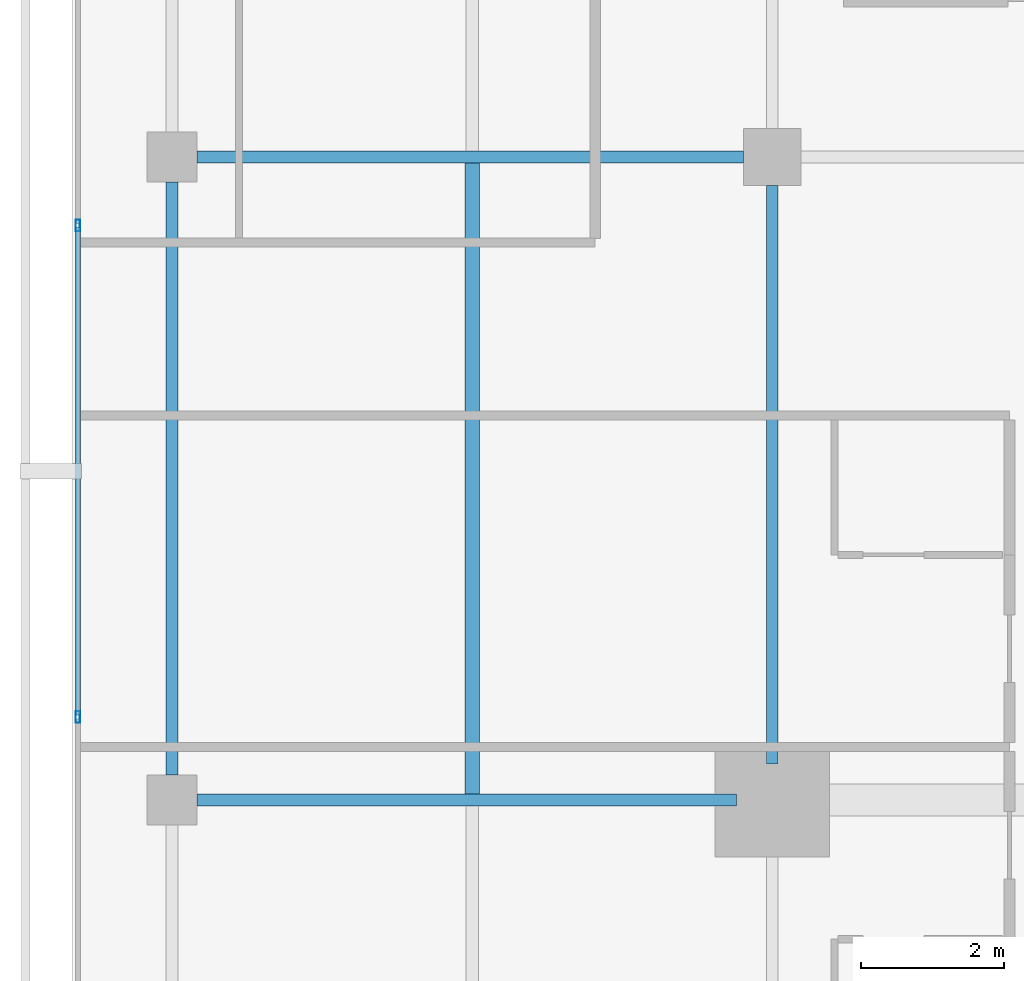
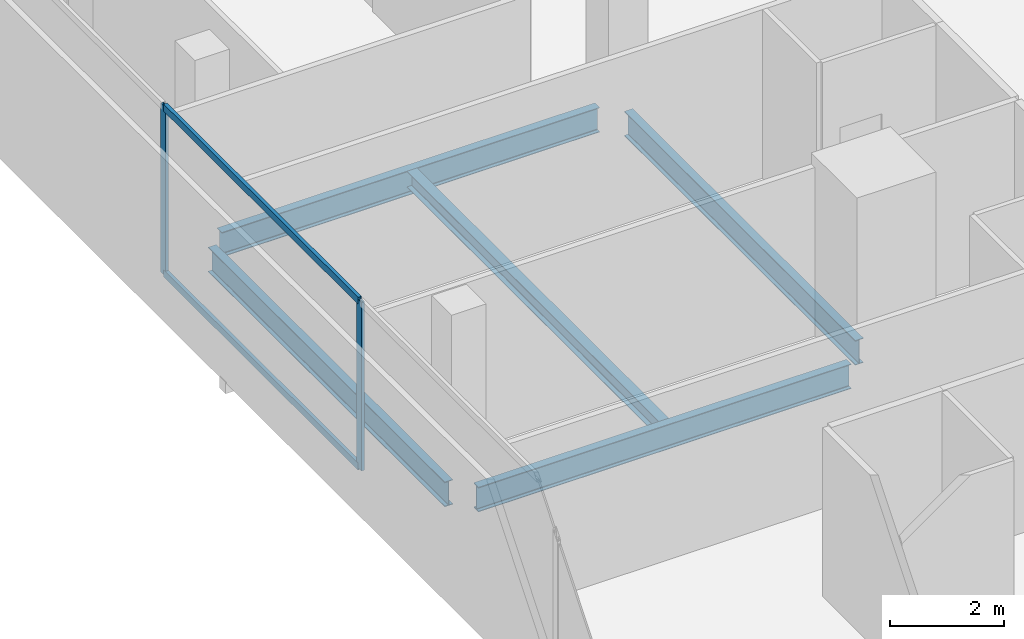
# One storey, part 8 of 25: 5 beams, 4 members, 1 element without a shape of its own.
"""IFC4 building model written with IfcOpenShell, lengths in metres."""

from ifc_helpers import new_model, si_unit, direction, frame, origin, origin_2d, place, context, subcontext, project, spatial, hollow_rectangle, i_section, extrude, material, layer, layer_set, material_profile, profile_set, type_object, element, aggregate, save


model = new_model("IFC4")

# Units and contexts
model_context = context("Model", 3, precision=1e-05, world=origin(), true_north=direction((0.0, 1.0)))
body_context = subcontext(model_context, "Body", "Model", "MODEL_VIEW")
ifc_project = project(units=[si_unit("LENGTHUNIT", "METRE"), si_unit("AREAUNIT", "SQUARE_METRE"), si_unit("VOLUMEUNIT", "CUBIC_METRE"), si_unit("PLANEANGLEUNIT", "RADIAN"), si_unit("MASSUNIT", "GRAM", prefix="KILO")], contexts=[model_context])

# Site, building, storey
site_placement = place(None, origin())
site = spatial("IfcSite", under=ifc_project, at=site_placement, CompositionType="ELEMENT")
building_placement = place(site_placement, origin())
building = spatial("IfcBuilding", under=site, at=building_placement, Name="Maruvema Waterfront Hotel and Observation Tower", CompositionType="ELEMENT")
storey_placement = place(building_placement, frame((0.0, 0.0, 281.75)))
storey = spatial("IfcBuildingStorey", under=building, at=storey_placement, Name="L69", CompositionType="ELEMENT", Elevation=281.75)

# Curtain wall, members
ifc_material_1 = material(Name="Anodised bronze aluminium and solar-control low-E IGU", Category="aluminium")
ifc_layer = layer(ifc_material_1, 0.159912109375, Name="Zone 3 Champagne Inner Thermal Curtain Wall System CW-04")
ifc_layer_set = layer_set([ifc_layer], Name="Anodised bronze aluminium and solar-control low-E IGU")
curtain_wall_type = type_object("IfcCurtainWallType", Name="Zone 3 Champagne Inner Thermal Curtain Wall System CW-04", PredefinedType="USERDEFINED", material=ifc_layer_set)
curtain_wall_placement = place(storey_placement, origin())
curtain_wall = element("IfcCurtainWall", 1, at=curtain_wall_placement, inside=storey, type_object=curtain_wall_type, Name="L69 Curtain Wall CW-L69-W", ObjectType="UNITISED CURTAIN WALL", PredefinedType="USERDEFINED")
ifc_material_2 = material(Name="Anodised architectural bronze aluminium", Category="aluminium")
ifc_material_profile_1 = material_profile(ifc_material_2, hollow_rectangle(XDim=0.070068359375, YDim=0.14990234375, WallThickness=0.00390625, at=origin_2d()), Name="ALU-T70x150")
ifc_profile_set_1 = profile_set([ifc_material_profile_1], Name="Anodised architectural bronze aluminium")
member_type_1 = type_object("IfcMemberType", Name="Curtain Wall Horizontal Transom ALU-T70x150", PredefinedType="USERDEFINED", material=ifc_profile_set_1)
member_1_placement = place(storey_placement, frame((15.47998046875, 35.010009765625, 0.030029296875), z_axis=(0.0, -1.0, 0.0), x_axis=(1.0, 0.0, 0.0)))
member_1 = element("IfcMember", 2, at=member_1_placement, type_object=member_type_1, Name="CW-04 transom 3.1", ObjectType="TRANSOM", PredefinedType="USERDEFINED", context=body_context, shape_type="SweptSolid", body=[
    extrude(hollow_rectangle(XDim=0.070068359375, YDim=0.14990234375, WallThickness=0.00390625, at=origin_2d()), origin(), (0.0, 0.0, 1.0), 6.820068359375),
])
member_2_placement = place(storey_placement, frame((15.47998046875, 35.010009765625, 3.580078125), z_axis=(0.0, -1.0, 0.0), x_axis=(1.0, 0.0, 0.0)))
member_2 = element("IfcMember", 3, at=member_2_placement, type_object=member_type_1, Name="CW-04 transom 3.2", ObjectType="TRANSOM", PredefinedType="USERDEFINED", context=body_context, shape_type="SweptSolid", body=[
    extrude(hollow_rectangle(XDim=0.070068359375, YDim=0.14990234375, WallThickness=0.00390625, at=origin_2d()), origin(), (0.0, 0.0, 1.0), 6.820068359375),
])
ifc_material_3 = material(Name="Anodised architectural bronze aluminium", Category="aluminium")
ifc_material_profile_2 = material_profile(ifc_material_3, hollow_rectangle(XDim=0.06494140625, YDim=0.1650390625, WallThickness=0.00390625, at=origin_2d()), Name="ALU-M65x165")
ifc_profile_set_2 = profile_set([ifc_material_profile_2], Name="Anodised architectural bronze aluminium")
member_type_2 = type_object("IfcMemberType", Name="Curtain Wall Primary Mullion ALU-M65x165", PredefinedType="MULLION", material=ifc_profile_set_2)
member_3_placement = place(storey_placement, frame((15.47998046875, 35.0400390625, 0.0), z_axis=(0.0, 0.0, 1.0), x_axis=(1.0, 0.0, 0.0)))
member_3 = element("IfcMember", 4, at=member_3_placement, type_object=member_type_2, Name="CW-04 mullion 3", PredefinedType="MULLION", context=body_context, shape_type="SweptSolid", body=[
    extrude(hollow_rectangle(XDim=0.06494140625, YDim=0.1650390625, WallThickness=0.00390625, at=origin_2d()), origin(), (0.0, 0.0, 1.0), 3.610107421875),
])
member_4_placement = place(storey_placement, frame((15.47998046875, 28.159912109375, 0.0), z_axis=(0.0, 0.0, 1.0), x_axis=(1.0, 0.0, 0.0)))
member_4 = element("IfcMember", 5, at=member_4_placement, type_object=member_type_2, Name="CW-04 mullion 4", PredefinedType="MULLION", context=body_context, shape_type="SweptSolid", body=[
    extrude(hollow_rectangle(XDim=0.06494140625, YDim=0.1650390625, WallThickness=0.00390625, at=origin_2d()), origin(), (0.0, 0.0, 1.0), 3.610107421875),
])
aggregate(curtain_wall, [member_3, member_4, member_1, member_2])

# Beams
ifc_material_4 = material(Name="Steel ASTM A572 Grade 50", Category="steel")
ifc_material_profile_3 = material_profile(ifc_material_4, i_section(OverallWidth=0.166015625, OverallDepth=0.529052734375, WebThickness=0.009765625, FlangeThickness=0.013671875, FilletRadius=0.014892578125, at=origin_2d()), Name="W530x74.0")
ifc_profile_set_3 = profile_set([ifc_material_profile_3], Name="Steel ASTM A572 Grade 50")
beam_type_1 = type_object("IfcBeamType", Name="Primary Floor Girder W530x74.0", PredefinedType="BEAM", material=ifc_profile_set_3)
beam_1_placement = place(storey_placement, frame((17.14990234375, 27.0, -0.50439453125), z_axis=(1.0, 0.0, 0.0), x_axis=(0.0, 1.0, 0.0)))
element("IfcBeam", 6, at=beam_1_placement, inside=storey, type_object=beam_type_1, Name="L69 Floor Girder EW-09", PredefinedType="BEAM", context=body_context, shape_type="SweptSolid", body=[
    extrude(i_section(OverallWidth=0.166015625, OverallDepth=0.529052734375, WebThickness=0.009765625, FlangeThickness=0.013671875, FilletRadius=0.014892578125, at=origin_2d()), origin(), (0.0, 0.0, 1.0), 7.550048828125),
])
beam_2_placement = place(storey_placement, frame((17.14990234375, 36.0, -0.50439453125), z_axis=(1.0, 0.0, 0.0), x_axis=(0.0, 1.0, 0.0)))
element("IfcBeam", 7, at=beam_2_placement, inside=storey, type_object=beam_type_1, Name="L69 Floor Girder EW-12", PredefinedType="BEAM", context=body_context, shape_type="SweptSolid", body=[
    extrude(i_section(OverallWidth=0.166015625, OverallDepth=0.529052734375, WebThickness=0.009765625, FlangeThickness=0.013671875, FilletRadius=0.014892578125, at=origin_2d()), origin(), (0.0, 0.0, 1.0), 7.650146484375),
])
beam_3_placement = place(storey_placement, frame((16.800048828125, 27.35009765625, -0.50439453125), z_axis=(0.0, 1.0, 0.0), x_axis=(-1.0, 0.0, 0.0)))
element("IfcBeam", 8, at=beam_3_placement, inside=storey, type_object=beam_type_1, Name="L69 Floor Girder NS-02", PredefinedType="BEAM", context=body_context, shape_type="SweptSolid", body=[
    extrude(i_section(OverallWidth=0.166015625, OverallDepth=0.529052734375, WebThickness=0.009765625, FlangeThickness=0.013671875, FilletRadius=0.014892578125, at=origin_2d()), origin(), (0.0, 0.0, 1.0), 8.2998046875),
])
beam_4_placement = place(storey_placement, frame((25.199951171875, 27.5, -0.50439453125), z_axis=(0.0, 1.0, 0.0), x_axis=(-1.0, 0.0, 0.0)))
element("IfcBeam", 9, at=beam_4_placement, inside=storey, type_object=beam_type_1, Name="L69 Floor Girder NS-06", PredefinedType="BEAM", context=body_context, shape_type="SweptSolid", body=[
    extrude(i_section(OverallWidth=0.166015625, OverallDepth=0.529052734375, WebThickness=0.009765625, FlangeThickness=0.013671875, FilletRadius=0.014892578125, at=origin_2d()), origin(), (0.0, 0.0, 1.0), 8.10009765625),
])
ifc_material_5 = material(Name="Steel ASTM A572 Grade 50", Category="steel")
ifc_material_profile_4 = material_profile(ifc_material_5, i_section(OverallWidth=0.202880859375, OverallDepth=0.346923828125, WebThickness=0.0078125, FlangeThickness=0.013427734375, FilletRadius=0.014892578125, at=origin_2d()), Name="W360x64.0")
ifc_profile_set_4 = profile_set([ifc_material_profile_4], Name="Steel ASTM A572 Grade 50")
beam_type_2 = type_object("IfcBeamType", Name="Secondary Floor Joist W360x64.0", PredefinedType="JOIST", material=ifc_profile_set_4)
beam_5_placement = place(storey_placement, frame((21.0, 27.0830078125, -0.41357421875), z_axis=(0.0, 1.0, 0.0), x_axis=(-1.0, 0.0, 0.0)))
element("IfcBeam", 10, at=beam_5_placement, inside=storey, type_object=beam_type_2, Name="L69 Secondary Floor Joist JS-02", PredefinedType="JOIST", context=body_context, shape_type="SweptSolid", body=[
    extrude(i_section(OverallWidth=0.202880859375, OverallDepth=0.346923828125, WebThickness=0.0078125, FlangeThickness=0.013427734375, FilletRadius=0.014892578125, at=origin_2d()), origin(), (0.0, 0.0, 1.0), 8.833984375),
])

save(model, "model.ifc")
